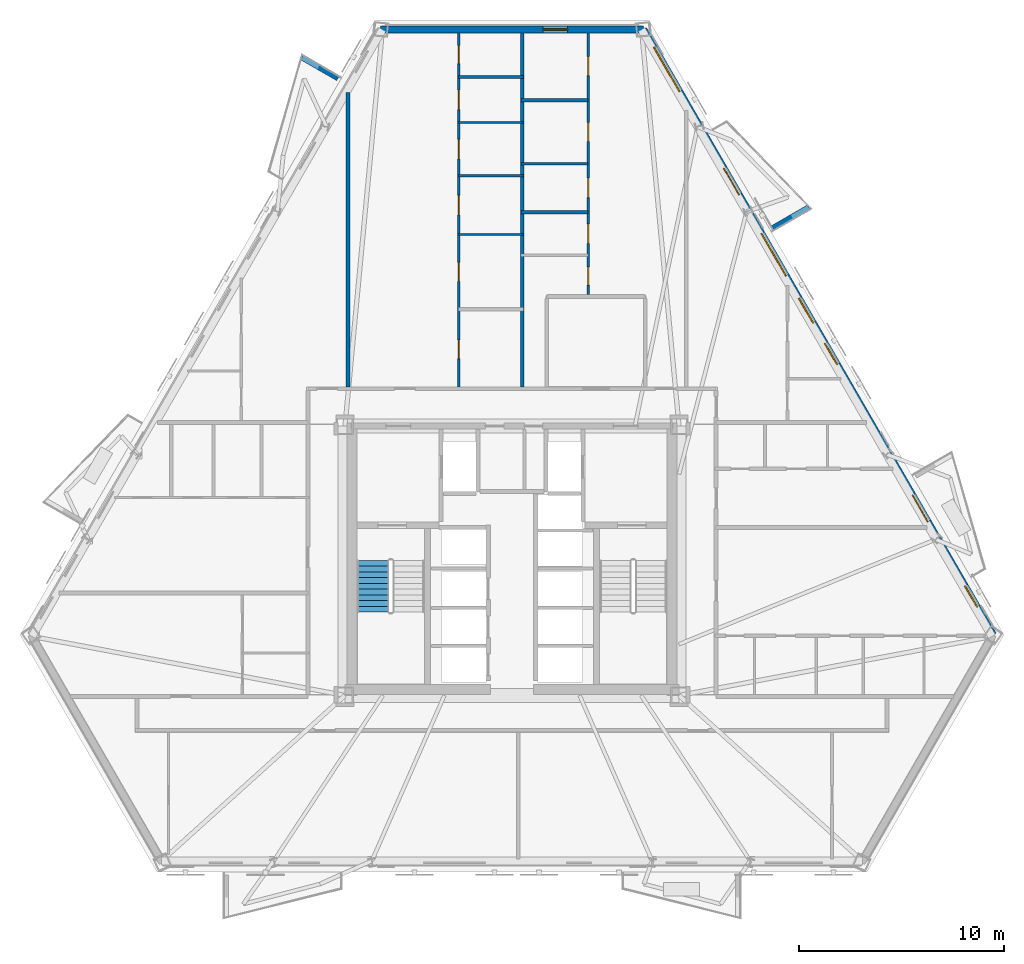
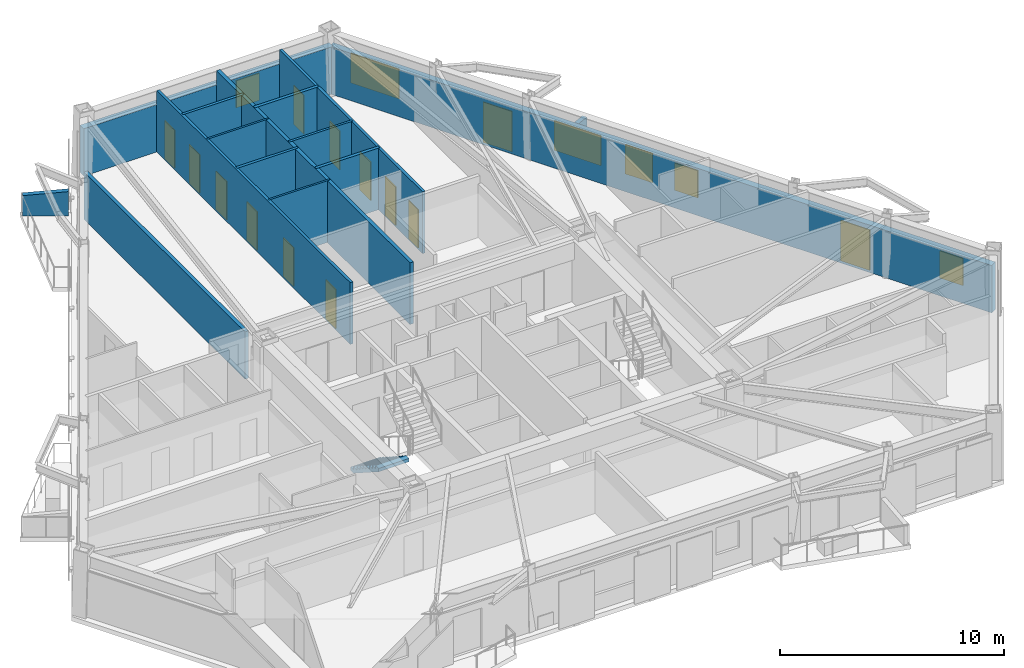
# One storey, part 6 of 11: 15 walls, 13 doors, 6 windows, 1 stair flight, 19 openings, 1 element without a shape of its own.
"""IFC4 building model written with IfcOpenShell, lengths in metres."""

from ifc_helpers import new_model, si_unit, direction, frame, frame_2d, origin, place, context, subcontext, project, spatial, polyline, rectangle, outline, extrude, material, layer, layer_set, type_object, element, fill, aggregate, save


model = new_model("IFC4")

# Units and contexts
model_context = context("Model", 3, precision=1e-05, world=origin(), true_north=direction((0.0, 1.0)))
body_context = subcontext(model_context, "Body", "Model", "MODEL_VIEW")
ifc_project = project(units=[si_unit("LENGTHUNIT", "METRE"), si_unit("AREAUNIT", "SQUARE_METRE"), si_unit("VOLUMEUNIT", "CUBIC_METRE"), si_unit("PLANEANGLEUNIT", "RADIAN"), si_unit("MASSUNIT", "GRAM", prefix="KILO")], contexts=[model_context])

# Site, building, storey
site_placement = place(None, origin())
site = spatial("IfcSite", under=ifc_project, at=site_placement, CompositionType="ELEMENT")
building_placement = place(site_placement, origin())
building = spatial("IfcBuilding", under=site, at=building_placement, Name="Oramaril Tower", CompositionType="ELEMENT")
storey_placement = place(building_placement, frame((0.0, 0.0, 82.5)))
storey = spatial("IfcBuildingStorey", under=building, at=storey_placement, Name="L21", CompositionType="ELEMENT", Elevation=82.5)

# Wall, openings, doors, windows
ifc_material_1 = material(Name="Warm Cream Limestone", Category="masonry")
ifc_layer_1 = layer(ifc_material_1, 0.340087890625)
ifc_layer_set_1 = layer_set([ifc_layer_1], Name="WT-EXT34")
wall_type_1 = type_object("IfcWallType", Name="WT-EXT34", PredefinedType="SOLIDWALL", material=ifc_layer_set_1)
wall_1_placement = place(storey_placement, frame((60.975341796875, 13.9609375, 0.0), z_axis=(0.0, 0.0, 1.0), x_axis=(-0.499998999238, 0.866025981574, 0.0)))
wall_1 = element("IfcWall", 1, at=wall_1_placement, inside=storey, type_object=wall_type_1, Name="L21 Tower Limestone Facade Wall 4M", PredefinedType="SOLIDWALL", context=body_context, shape_type="SweptSolid", body=[
    extrude(rectangle(XDim=34.1083984375, YDim=0.340087890625, at=frame_2d((17.05419921875, 0.0))), origin(), (0.0, 0.0, 1.0), 2.577880859375),
])
opening_1_placement = place(wall_1_placement, frame((6.369384765625, 0.0, 0.0)))
opening_1 = element("IfcOpeningElement", 2, at=opening_1_placement, cuts=wall_1, Name="Opening D-L21-BAL-NE1", PredefinedType="OPENING", context=body_context, shape_type="SweptSolid", body=[
    extrude(rectangle(XDim=1.5, YDim=2.199951171875, at=frame_2d((0.75, 1.10009765625))), frame((0.0, 0.169921875, 0.0), z_axis=(0.0, -1.0, 0.0), x_axis=(1.0, 0.0, 0.0)), (0.0, 0.0, 1.0), 0.340087890625),
])
opening_2_placement = place(wall_1_placement, frame((24.783935546875, 0.0, 0.0)))
opening_2 = element("IfcOpeningElement", 3, at=opening_2_placement, cuts=wall_1, Name="Opening D-L21-BAL-NE2", PredefinedType="OPENING", context=body_context, shape_type="SweptSolid", body=[
    extrude(rectangle(XDim=1.5, YDim=2.199951171875, at=frame_2d((0.75, 1.10009765625))), frame((0.0, 0.169921875, 0.0), z_axis=(0.0, -1.0, 0.0), x_axis=(1.0, 0.0, 0.0)), (0.0, 0.0, 1.0), 0.340087890625),
])
opening_3_placement = place(wall_1_placement, frame((1.560302734375, 0.0, 0.85009765625)))
opening_3 = element("IfcOpeningElement", 4, at=opening_3_placement, cuts=wall_1, Name="Opening WN-09", PredefinedType="OPENING", context=body_context, shape_type="SweptSolid", body=[
    extrude(rectangle(XDim=1.199951171875, YDim=1.47998046875, at=frame_2d((0.60009765625, 0.739990234375))), frame((0.0, 0.169921875, 0.0), z_axis=(0.0, -1.0, 0.0), x_axis=(1.0, 0.0, 0.0)), (0.0, 0.0, 1.0), 0.340087890625),
])
opening_4_placement = place(wall_1_placement, frame((30.602783203125, 0.0, 0.85009765625)))
opening_4 = element("IfcOpeningElement", 5, at=opening_4_placement, cuts=wall_1, Name="Opening WN-11", PredefinedType="OPENING", context=body_context, shape_type="SweptSolid", body=[
    extrude(rectangle(XDim=2.5, YDim=1.617919921875, at=frame_2d((1.25, 0.80908203125))), frame((0.0, 0.169921875, 0.0), z_axis=(0.0, -1.0, 0.0), x_axis=(1.0, 0.0, 0.0)), (0.0, 0.0, 1.0), 0.340087890625),
])
opening_5_placement = place(wall_1_placement, frame((20.21240234375, 0.0, 0.85009765625)))
opening_5 = element("IfcOpeningElement", 6, at=opening_5_placement, cuts=wall_1, Name="Opening WN-03", PredefinedType="OPENING", context=body_context, shape_type="SweptSolid", body=[
    extrude(rectangle(XDim=2.39990234375, YDim=1.617919921875, at=frame_2d((1.199951171875, 0.80908203125))), frame((0.0, 0.169921875, 0.0), z_axis=(0.0, -1.0, 0.0), x_axis=(1.0, 0.0, 0.0)), (0.0, 0.0, 1.0), 0.340087890625),
])
opening_6_placement = place(wall_1_placement, frame((15.221435546875, 0.0, 0.85009765625)))
opening_6 = element("IfcOpeningElement", 7, at=opening_6_placement, cuts=wall_1, Name="Opening WN-09", PredefinedType="OPENING", context=body_context, shape_type="SweptSolid", body=[
    extrude(rectangle(XDim=1.199951171875, YDim=1.47998046875, at=frame_2d((0.60009765625, 0.739990234375))), frame((0.0, 0.169921875, 0.0), z_axis=(0.0, -1.0, 0.0), x_axis=(1.0, 0.0, 0.0)), (0.0, 0.0, 1.0), 0.340087890625),
])
opening_7_placement = place(wall_1_placement, frame((17.560791015625, 0.0, 0.85009765625)))
opening_7 = element("IfcOpeningElement", 8, at=opening_7_placement, cuts=wall_1, Name="Opening WN-08", PredefinedType="OPENING", context=body_context, shape_type="SweptSolid", body=[
    extrude(rectangle(XDim=1.39990234375, YDim=1.60009765625, at=frame_2d((0.699951171875, 0.800048828125))), frame((0.0, 0.169921875, 0.0), z_axis=(0.0, -1.0, 0.0), x_axis=(1.0, 0.0, 0.0)), (0.0, 0.0, 1.0), 0.340087890625),
])
ifc_material_2 = material(Name="Anodised Aluminium 6063-T6", Category="aluminium")
door_type_1 = type_object("IfcDoorType", Name="DT-BAL", OperationType="NOTDEFINED", PredefinedType="DOOR", material=ifc_material_2)
door_1_placement = place(opening_1_placement, origin())
door_1 = element("IfcDoor", 9, at=door_1_placement, inside=storey, type_object=door_type_1, Name="L21 Balcony Glazed Door L21-BAL-NE1", OperationType="SINGLE_SWING_RIGHT", OverallHeight=2.199951171875, OverallWidth=1.5, PredefinedType="DOOR", context=body_context, shape_type="SweptSolid", body=[
    extrude(rectangle(XDim=1.5, YDim=2.199951171875, at=frame_2d((0.75, 1.10009765625))), frame((0.0, 0.02490234375, 0.0), z_axis=(0.0, -1.0, 0.0), x_axis=(1.0, 0.0, 0.0)), (0.0, 0.0, 1.0), 0.050048828125),
])
fill(opening_1, door_1)
door_2_placement = place(opening_2_placement, origin())
door_2 = element("IfcDoor", 10, at=door_2_placement, inside=storey, type_object=door_type_1, Name="L21 Balcony Glazed Door L21-BAL-NE2", OperationType="SINGLE_SWING_LEFT", OverallHeight=2.199951171875, OverallWidth=1.5, PredefinedType="DOOR", context=body_context, shape_type="SweptSolid", body=[
    extrude(rectangle(XDim=1.5, YDim=2.199951171875, at=frame_2d((0.75, 1.10009765625))), frame((0.0, 0.02490234375, 0.0), z_axis=(0.0, -1.0, 0.0), x_axis=(1.0, 0.0, 0.0)), (0.0, 0.0, 1.0), 0.050048828125),
])
fill(opening_2, door_2)
ifc_material_3 = material(Name="Coastal Low-E Insulated Glass", Category="glass")
window_type_1 = type_object("IfcWindowType", Name="WNT-03", PartitioningType="SINGLE_PANEL", PredefinedType="WINDOW", material=ifc_material_3)
window_1_placement = place(opening_5_placement, origin())
window_1 = element("IfcWindow", 11, at=window_1_placement, inside=storey, type_object=window_type_1, Name="L21 Chicago Bay Window WN-03", OverallHeight=1.617919921875, OverallWidth=2.39990234375, PartitioningType="SINGLE_PANEL", PredefinedType="WINDOW", context=body_context, shape_type="SweptSolid", body=[
    extrude(rectangle(XDim=2.39990234375, YDim=1.617919921875, at=frame_2d((1.199951171875, 0.80908203125))), frame((0.0, 0.030029296875, 0.0), z_axis=(0.0, -1.0, 0.0), x_axis=(1.0, 0.0, 0.0)), (0.0, 0.0, 1.0), 0.06005859375),
])
fill(opening_5, window_1)
ifc_material_4 = material(Name="Coastal Low-E Insulated Glass", Category="glass")
window_type_2 = type_object("IfcWindowType", Name="WNT-08", PartitioningType="SINGLE_PANEL", PredefinedType="WINDOW", material=ifc_material_4)
window_2_placement = place(opening_7_placement, origin())
window_2 = element("IfcWindow", 12, at=window_2_placement, inside=storey, type_object=window_type_2, Name="L21 Chicago Bay Window WN-08", OverallHeight=1.60009765625, OverallWidth=1.39990234375, PartitioningType="SINGLE_PANEL", PredefinedType="WINDOW", context=body_context, shape_type="SweptSolid", body=[
    extrude(rectangle(XDim=1.39990234375, YDim=1.60009765625, at=frame_2d((0.699951171875, 0.800048828125))), frame((0.0, 0.030029296875, 0.0), z_axis=(0.0, -1.0, 0.0), x_axis=(1.0, 0.0, 0.0)), (0.0, 0.0, 1.0), 0.06005859375),
])
fill(opening_7, window_2)
ifc_material_5 = material(Name="Coastal Low-E Insulated Glass", Category="glass")
window_type_3 = type_object("IfcWindowType", Name="WNT-09", PartitioningType="SINGLE_PANEL", PredefinedType="WINDOW", material=ifc_material_5)
window_3_placement = place(opening_3_placement, origin())
window_3 = element("IfcWindow", 13, at=window_3_placement, inside=storey, type_object=window_type_3, Name="L21 Chicago Bay Window WN-09", OverallHeight=1.47998046875, OverallWidth=1.199951171875, PartitioningType="SINGLE_PANEL", PredefinedType="WINDOW", context=body_context, shape_type="SweptSolid", body=[
    extrude(rectangle(XDim=1.199951171875, YDim=1.47998046875, at=frame_2d((0.60009765625, 0.739990234375))), frame((0.0, 0.030029296875, 0.0), z_axis=(0.0, -1.0, 0.0), x_axis=(1.0, 0.0, 0.0)), (0.0, 0.0, 1.0), 0.06005859375),
])
fill(opening_3, window_3)
window_4_placement = place(opening_6_placement, origin())
window_4 = element("IfcWindow", 14, at=window_4_placement, inside=storey, type_object=window_type_3, Name="L21 Chicago Bay Window WN-09", OverallHeight=1.47998046875, OverallWidth=1.199951171875, PartitioningType="SINGLE_PANEL", PredefinedType="WINDOW", context=body_context, shape_type="SweptSolid", body=[
    extrude(rectangle(XDim=1.199951171875, YDim=1.47998046875, at=frame_2d((0.60009765625, 0.739990234375))), frame((0.0, 0.030029296875, 0.0), z_axis=(0.0, -1.0, 0.0), x_axis=(1.0, 0.0, 0.0)), (0.0, 0.0, 1.0), 0.06005859375),
])
fill(opening_6, window_4)
ifc_material_6 = material(Name="Coastal Low-E Insulated Glass", Category="glass")
window_type_4 = type_object("IfcWindowType", Name="WNT-11", PartitioningType="SINGLE_PANEL", PredefinedType="WINDOW", material=ifc_material_6)
window_5_placement = place(opening_4_placement, origin())
window_5 = element("IfcWindow", 15, at=window_5_placement, inside=storey, type_object=window_type_4, Name="L21 Chicago Bay Window WN-11", OverallHeight=1.617919921875, OverallWidth=2.5, PartitioningType="SINGLE_PANEL", PredefinedType="WINDOW", context=body_context, shape_type="SweptSolid", body=[
    extrude(rectangle(XDim=2.5, YDim=1.617919921875, at=frame_2d((1.25, 0.80908203125))), frame((0.0, 0.030029296875, 0.0), z_axis=(0.0, -1.0, 0.0), x_axis=(1.0, 0.0, 0.0)), (0.0, 0.0, 1.0), 0.06005859375),
])
fill(opening_4, window_5)

# Wall, opening, window
wall_2_placement = place(storey_placement, frame((43.921142578125, 43.499755859375, 0.0), z_axis=(0.0, 0.0, 1.0), x_axis=(-1.0, 0.0, 0.0)))
wall_2 = element("IfcWall", 16, at=wall_2_placement, inside=storey, type_object=wall_type_1, Name="L21 Tower Limestone Facade Wall 5M", PredefinedType="SOLIDWALL", context=body_context, shape_type="SweptSolid", body=[
    extrude(rectangle(XDim=12.84228515625, YDim=0.340087890625, at=frame_2d((6.421142578125, 0.0))), origin(), (0.0, 0.0, 1.0), 2.577880859375),
])
opening_8_placement = place(wall_2_placement, frame((3.7080078125, 0.0, 0.85009765625)))
opening_8 = element("IfcOpeningElement", 17, at=opening_8_placement, cuts=wall_2, Name="Opening WN-09", PredefinedType="OPENING", context=body_context, shape_type="SweptSolid", body=[
    extrude(rectangle(XDim=1.199951171875, YDim=1.47998046875, at=frame_2d((0.60009765625, 0.739990234375))), frame((0.0, 0.169921875, 0.0), z_axis=(0.0, -1.0, 0.0), x_axis=(1.0, 0.0, 0.0)), (0.0, 0.0, 1.0), 0.340087890625),
])
window_6_placement = place(opening_8_placement, origin())
window_6 = element("IfcWindow", 18, at=window_6_placement, inside=storey, type_object=window_type_3, Name="L21 Apartment Bedroom Window WN-09", OverallHeight=1.47998046875, OverallWidth=1.199951171875, PartitioningType="SINGLE_PANEL", PredefinedType="WINDOW", context=body_context, shape_type="SweptSolid", body=[
    extrude(rectangle(XDim=1.199951171875, YDim=1.47998046875, at=frame_2d((0.60009765625, 0.739990234375))), frame((0.0, 0.030029296875, 0.0), z_axis=(0.0, -1.0, 0.0), x_axis=(1.0, 0.0, 0.0)), (0.0, 0.0, 1.0), 0.06005859375),
])
fill(opening_8, window_6)

# Walls
ifc_material_7 = material(Name="Concrete C40/50", Category="concrete")
ifc_layer_2 = layer(ifc_material_7, 0.22998046875)
ifc_layer_set_2 = layer_set([ifc_layer_2], Name="WT-PRP23")
wall_type_2 = type_object("IfcWallType", Name="WT-PRP23", PredefinedType="PARAPET", material=ifc_layer_set_2)
for number, where, z_axis, x_axis, name in (
    (19, (50.20361328125, 33.81396484375, 0.0), (0.0, 0.0, 1.0), (0.866042246008, 0.499970827278, 0.0), "L21 Trapezoidal Balcony Frame Cheek L21-BAL-NE2-L"),
    (20, (29.00390625, 41.1015625, 0.0), (0.0, 0.0, 1.0), (-0.866042246008, 0.499970827278, 0.0), "L21 Trapezoidal Balcony Frame Cheek L21-BAL-NW1-L"),
):
    element("IfcWall", number, at=place(storey_placement, frame(where, z_axis=z_axis, x_axis=x_axis)), inside=storey, type_object=wall_type_2, Name=name, PredefinedType="PARAPET", context=body_context, shape_type="SweptSolid", body=[
        extrude(outline(polyline([(0.0, 0.0), (2.0419921875, 0.0), (2.0419921875, 1.10009765625), (0.0, 1.320068359375), (0.0, 0.0)])), frame((0.0, 0.114990234375, 0.0), z_axis=(0.0, -1.0, 0.0), x_axis=(1.0, 0.0, 0.0)), (0.0, 0.0, 1.0), 0.22998046875),
    ])
ifc_material_8 = material(Name="Acoustic Gypsum Board Partition")
ifc_layer_3 = layer(ifc_material_8, 0.10009765625)
ifc_layer_set_3 = layer_set([ifc_layer_3], Name="WT-PT10")
wall_type_3 = type_object("IfcWallType", Name="WT-PT10", PredefinedType="PARTITIONING", material=ifc_layer_set_3)
for number, where, z_axis, x_axis, name in (
    (21, (34.89990234375, 33.489990234375, 0.0), (0.0, 0.0, 1.0), (1.0, 0.0, 0.0), "L21 Interior Partition PT-10"),
    (22, (34.89990234375, 38.9599609375, 0.0), (0.0, 0.0, 1.0), (1.0, 0.0, 0.0), "L21 Interior Partition PT-10"),
):
    element("IfcWall", number, at=place(storey_placement, frame(where, z_axis=z_axis, x_axis=x_axis)), inside=storey, type_object=wall_type_3, Name=name, PredefinedType="PARTITIONING", context=body_context, shape_type="SweptSolid", body=[
        extrude(rectangle(XDim=3.150146484375, YDim=0.10009765625, at=frame_2d((1.5751953125, 0.0))), origin(), (0.0, 0.0, 1.0), 3.360107421875),
    ])
ifc_material_9 = material(Name="Acoustic Gypsum Board Partition")
ifc_layer_4 = layer(ifc_material_9, 0.1201171875)
ifc_layer_set_4 = layer_set([ifc_layer_4], Name="WT-PT12")
wall_type_4 = type_object("IfcWallType", Name="WT-PT12", PredefinedType="PARTITIONING", material=ifc_layer_set_4)
wall_3_placement = place(storey_placement, frame((37.949951171875, 36.949951171875, 0.0), z_axis=(0.0, 0.0, 1.0), x_axis=(1.0, 0.0, 0.0)))
element("IfcWall", 23, at=wall_3_placement, inside=storey, type_object=wall_type_4, Name="L21 Interior Partition PT-12", PredefinedType="PARTITIONING", context=body_context, shape_type="SweptSolid", body=[
    extrude(rectangle(XDim=3.27001953125, YDim=0.1201171875, at=frame_2d((1.635009765625, 0.0))), origin(), (0.0, 0.0, 1.0), 3.360107421875),
])
ifc_material_10 = material(Name="Acoustic Gypsum Board Partition")
ifc_layer_5 = layer(ifc_material_10, 0.139892578125)
ifc_layer_set_5 = layer_set([ifc_layer_5], Name="WT-PT14")
wall_type_5 = type_object("IfcWallType", Name="WT-PT14", PredefinedType="PARTITIONING", material=ifc_layer_set_5)
for number, where, z_axis, x_axis, name in (
    (24, (34.89990234375, 36.360107421875, 0.0), (0.0, 0.0, 1.0), (1.0, 0.0, 0.0), "L21 Interior Partition PT-14"),
    (25, (34.89990234375, 41.169921875, 0.0), (0.0, 0.0, 1.0), (1.0, 0.0, 0.0), "L21 Interior Partition PT-14"),
):
    element("IfcWall", number, at=place(storey_placement, frame(where, z_axis=z_axis, x_axis=x_axis)), inside=storey, type_object=wall_type_5, Name=name, PredefinedType="PARTITIONING", context=body_context, shape_type="SweptSolid", body=[
        extrude(rectangle(XDim=3.150146484375, YDim=0.139892578125, at=frame_2d((1.5751953125, 0.0))), origin(), (0.0, 0.0, 1.0), 3.360107421875),
    ])

# Wall, openings, doors
wall_4_placement = place(storey_placement, frame((34.89990234375, 26.06396484375, 0.0), z_axis=(0.0, 0.0, 1.0), x_axis=(0.0, 1.0, 0.0)))
wall_4 = element("IfcWall", 26, at=wall_4_placement, inside=storey, type_object=wall_type_5, Name="L21 Interior Partition PT-14", PredefinedType="PARTITIONING", context=body_context, shape_type="SweptSolid", body=[
    extrude(rectangle(XDim=17.26171875, YDim=0.139892578125, at=frame_2d((8.630859375, 0.0))), origin(), (0.0, 0.0, 1.0), 3.360107421875),
])
opening_9_placement = place(wall_4_placement, frame((1.36962890625, 0.0, 0.0)))
opening_9 = element("IfcOpeningElement", 27, at=opening_9_placement, cuts=wall_4, Name="Opening D-L21-26", PredefinedType="OPENING", context=body_context, shape_type="SweptSolid", body=[
    extrude(rectangle(XDim=0.919921875, YDim=2.1201171875, at=frame_2d((0.4599609375, 1.06005859375))), frame((0.0, 0.06982421875, 0.0), z_axis=(0.0, -1.0, 0.0), x_axis=(1.0, 0.0, 0.0)), (0.0, 0.0, 1.0), 0.139892578125),
])
opening_10_placement = place(wall_4_placement, frame((5.14697265625, 0.0, 0.0)))
opening_10 = element("IfcOpeningElement", 28, at=opening_10_placement, cuts=wall_4, Name="Opening D-L21-27", PredefinedType="OPENING", context=body_context, shape_type="SweptSolid", body=[
    extrude(rectangle(XDim=0.919921875, YDim=2.1201171875, at=frame_2d((0.4599609375, 1.06005859375))), frame((0.0, 0.06982421875, 0.0), z_axis=(0.0, -1.0, 0.0), x_axis=(1.0, 0.0, 0.0)), (0.0, 0.0, 1.0), 0.139892578125),
])
opening_11_placement = place(wall_4_placement, frame((8.387939453125, 0.0, 0.0)))
opening_11 = element("IfcOpeningElement", 29, at=opening_11_placement, cuts=wall_4, Name="Opening D-L21-28", PredefinedType="OPENING", context=body_context, shape_type="SweptSolid", body=[
    extrude(rectangle(XDim=0.949951171875, YDim=2.10009765625, at=frame_2d((0.47509765625, 1.050048828125))), frame((0.0, 0.06982421875, 0.0), z_axis=(0.0, -1.0, 0.0), x_axis=(1.0, 0.0, 0.0)), (0.0, 0.0, 1.0), 0.139892578125),
])
opening_12_placement = place(wall_4_placement, frame((11.123046875, 0.0, 0.0)))
opening_12 = element("IfcOpeningElement", 30, at=opening_12_placement, cuts=wall_4, Name="Opening D-L21-29", PredefinedType="OPENING", context=body_context, shape_type="SweptSolid", body=[
    extrude(rectangle(XDim=0.949951171875, YDim=2.10009765625, at=frame_2d((0.47509765625, 1.050048828125))), frame((0.0, 0.06982421875, 0.0), z_axis=(0.0, -1.0, 0.0), x_axis=(1.0, 0.0, 0.0)), (0.0, 0.0, 1.0), 0.139892578125),
])
opening_13_placement = place(wall_4_placement, frame((13.526123046875, 0.0, 0.0)))
opening_13 = element("IfcOpeningElement", 31, at=opening_13_placement, cuts=wall_4, Name="Opening D-L21-30", PredefinedType="OPENING", context=body_context, shape_type="SweptSolid", body=[
    extrude(rectangle(XDim=0.949951171875, YDim=2.10009765625, at=frame_2d((0.47509765625, 1.050048828125))), frame((0.0, 0.06982421875, 0.0), z_axis=(0.0, -1.0, 0.0), x_axis=(1.0, 0.0, 0.0)), (0.0, 0.0, 1.0), 0.139892578125),
])
opening_14_placement = place(wall_4_placement, frame((15.768798828125, 0.0, 0.0)))
opening_14 = element("IfcOpeningElement", 32, at=opening_14_placement, cuts=wall_4, Name="Opening D-L21-31", PredefinedType="OPENING", context=body_context, shape_type="SweptSolid", body=[
    extrude(rectangle(XDim=0.8798828125, YDim=2.080078125, at=frame_2d((0.43994140625, 1.0400390625))), frame((0.0, 0.06982421875, 0.0), z_axis=(0.0, -1.0, 0.0), x_axis=(1.0, 0.0, 0.0)), (0.0, 0.0, 1.0), 0.139892578125),
])
ifc_material_11 = material(Name="FSC Brazilian Freijo Hardwood", Category="wood")
door_type_2 = type_object("IfcDoorType", Name="DT-BATH", OperationType="NOTDEFINED", PredefinedType="DOOR", material=ifc_material_11)
door_3_placement = place(opening_14_placement, origin())
door_3 = element("IfcDoor", 33, at=door_3_placement, inside=storey, type_object=door_type_2, Name="L21 Flat L21-U8 Bathroom Door D-L21-31", OperationType="SINGLE_SWING_LEFT", OverallHeight=2.080078125, OverallWidth=0.8798828125, PredefinedType="DOOR", context=body_context, shape_type="SweptSolid", body=[
    extrude(rectangle(XDim=0.8798828125, YDim=2.080078125, at=frame_2d((0.43994140625, 1.0400390625))), frame((0.0, 0.02490234375, 0.0), z_axis=(0.0, -1.0, 0.0), x_axis=(1.0, 0.0, 0.0)), (0.0, 0.0, 1.0), 0.050048828125),
])
fill(opening_14, door_3)
ifc_material_12 = material(Name="FSC Brazilian Freijo Hardwood", Category="wood")
door_type_3 = type_object("IfcDoorType", Name="DT-BED", OperationType="NOTDEFINED", PredefinedType="DOOR", material=ifc_material_12)
door_4_placement = place(opening_9_placement, origin())
door_4 = element("IfcDoor", 34, at=door_4_placement, inside=storey, type_object=door_type_3, Name="L21 Flat L21-U8 Master Bedroom Door D-L21-26", OperationType="SINGLE_SWING_RIGHT", OverallHeight=2.1201171875, OverallWidth=0.919921875, PredefinedType="DOOR", context=body_context, shape_type="SweptSolid", body=[
    extrude(rectangle(XDim=0.919921875, YDim=2.1201171875, at=frame_2d((0.4599609375, 1.06005859375))), frame((0.0, 0.02490234375, 0.0), z_axis=(0.0, -1.0, 0.0), x_axis=(1.0, 0.0, 0.0)), (0.0, 0.0, 1.0), 0.050048828125),
])
fill(opening_9, door_4)
door_5_placement = place(opening_10_placement, origin())
door_5 = element("IfcDoor", 35, at=door_5_placement, inside=storey, type_object=door_type_3, Name="L21 Flat L21-U8 Bedroom 2 Door D-L21-27", OperationType="SINGLE_SWING_LEFT", OverallHeight=2.1201171875, OverallWidth=0.919921875, PredefinedType="DOOR", context=body_context, shape_type="SweptSolid", body=[
    extrude(rectangle(XDim=0.919921875, YDim=2.1201171875, at=frame_2d((0.4599609375, 1.06005859375))), frame((0.0, 0.02490234375, 0.0), z_axis=(0.0, -1.0, 0.0), x_axis=(1.0, 0.0, 0.0)), (0.0, 0.0, 1.0), 0.050048828125),
])
fill(opening_10, door_5)
ifc_material_13 = material(Name="FSC Brazilian Freijo Hardwood", Category="wood")
door_type_4 = type_object("IfcDoorType", Name="DT-STDY", OperationType="NOTDEFINED", PredefinedType="DOOR", material=ifc_material_13)
door_6_placement = place(opening_11_placement, origin())
door_6 = element("IfcDoor", 36, at=door_6_placement, inside=storey, type_object=door_type_4, Name="L21 Flat L21-U8 Dining Room Door D-L21-28", OperationType="SINGLE_SWING_RIGHT", OverallHeight=2.10009765625, OverallWidth=0.949951171875, PredefinedType="DOOR", context=body_context, shape_type="SweptSolid", body=[
    extrude(rectangle(XDim=0.949951171875, YDim=2.10009765625, at=frame_2d((0.47509765625, 1.050048828125))), frame((0.0, 0.02490234375, 0.0), z_axis=(0.0, -1.0, 0.0), x_axis=(1.0, 0.0, 0.0)), (0.0, 0.0, 1.0), 0.050048828125),
])
fill(opening_11, door_6)
door_7_placement = place(opening_12_placement, origin())
door_7 = element("IfcDoor", 37, at=door_7_placement, inside=storey, type_object=door_type_4, Name="L21 Flat L21-U8 Private Dining Room Door D-L21-29", OperationType="SINGLE_SWING_LEFT", OverallHeight=2.10009765625, OverallWidth=0.949951171875, PredefinedType="DOOR", context=body_context, shape_type="SweptSolid", body=[
    extrude(rectangle(XDim=0.949951171875, YDim=2.10009765625, at=frame_2d((0.47509765625, 1.050048828125))), frame((0.0, 0.02490234375, 0.0), z_axis=(0.0, -1.0, 0.0), x_axis=(1.0, 0.0, 0.0)), (0.0, 0.0, 1.0), 0.050048828125),
])
fill(opening_12, door_7)
door_8_placement = place(opening_13_placement, origin())
door_8 = element("IfcDoor", 38, at=door_8_placement, inside=storey, type_object=door_type_4, Name="L21 Flat L21-U8 Kitchen Door D-L21-30", OperationType="SINGLE_SWING_RIGHT", OverallHeight=2.10009765625, OverallWidth=0.949951171875, PredefinedType="DOOR", context=body_context, shape_type="SweptSolid", body=[
    extrude(rectangle(XDim=0.949951171875, YDim=2.10009765625, at=frame_2d((0.47509765625, 1.050048828125))), frame((0.0, 0.02490234375, 0.0), z_axis=(0.0, -1.0, 0.0), x_axis=(1.0, 0.0, 0.0)), (0.0, 0.0, 1.0), 0.050048828125),
])
fill(opening_13, door_8)

wall_5_placement = place(storey_placement, frame((41.219970703125, 30.56396484375, 0.0), z_axis=(0.0, 0.0, 1.0), x_axis=(0.0, 1.0, 0.0)))
wall_5 = element("IfcWall", 39, at=wall_5_placement, inside=storey, type_object=wall_type_5, Name="L21 Interior Partition PT-14", PredefinedType="PARTITIONING", context=body_context, shape_type="SweptSolid", body=[
    extrude(rectangle(XDim=12.76171875, YDim=0.139892578125, at=frame_2d((6.380859375, 0.0))), origin(), (0.0, 0.0, 1.0), 3.360107421875),
])
opening_15_placement = place(wall_5_placement, frame((0.460205078125, 0.0, 0.0)))
opening_15 = element("IfcOpeningElement", 40, at=opening_15_placement, cuts=wall_5, Name="Opening D-L21-32", PredefinedType="OPENING", context=body_context, shape_type="SweptSolid", body=[
    extrude(rectangle(XDim=0.8798828125, YDim=2.080078125, at=frame_2d((0.43994140625, 1.0400390625))), frame((0.0, 0.06982421875, 0.0), z_axis=(0.0, -1.0, 0.0), x_axis=(1.0, 0.0, 0.0)), (0.0, 0.0, 1.0), 0.139892578125),
])
opening_16_placement = place(wall_5_placement, frame((2.494384765625, 0.0, 0.0)))
opening_16 = element("IfcOpeningElement", 41, at=opening_16_placement, cuts=wall_5, Name="Opening D-L21-33", PredefinedType="OPENING", context=body_context, shape_type="SweptSolid", body=[
    extrude(rectangle(XDim=0.949951171875, YDim=2.10009765625, at=frame_2d((0.47509765625, 1.050048828125))), frame((0.0, 0.06982421875, 0.0), z_axis=(0.0, -1.0, 0.0), x_axis=(1.0, 0.0, 0.0)), (0.0, 0.0, 1.0), 0.139892578125),
])
opening_17_placement = place(wall_5_placement, frame((4.727294921875, 0.0, 0.0)))
opening_17 = element("IfcOpeningElement", 42, at=opening_17_placement, cuts=wall_5, Name="Opening D-L21-34", PredefinedType="OPENING", context=body_context, shape_type="SweptSolid", body=[
    extrude(rectangle(XDim=0.949951171875, YDim=2.10009765625, at=frame_2d((0.47509765625, 1.050048828125))), frame((0.0, 0.06982421875, 0.0), z_axis=(0.0, -1.0, 0.0), x_axis=(1.0, 0.0, 0.0)), (0.0, 0.0, 1.0), 0.139892578125),
])
opening_18_placement = place(wall_5_placement, frame((7.470703125, 0.0, 0.0)))
opening_18 = element("IfcOpeningElement", 43, at=opening_18_placement, cuts=wall_5, Name="Opening D-L21-35", PredefinedType="OPENING", context=body_context, shape_type="SweptSolid", body=[
    extrude(rectangle(XDim=0.919921875, YDim=2.1201171875, at=frame_2d((0.4599609375, 1.06005859375))), frame((0.0, 0.06982421875, 0.0), z_axis=(0.0, -1.0, 0.0), x_axis=(1.0, 0.0, 0.0)), (0.0, 0.0, 1.0), 0.139892578125),
])
opening_19_placement = place(wall_5_placement, frame((10.683349609375, 0.0, 0.0)))
opening_19 = element("IfcOpeningElement", 44, at=opening_19_placement, cuts=wall_5, Name="Opening D-L21-36", PredefinedType="OPENING", context=body_context, shape_type="SweptSolid", body=[
    extrude(rectangle(XDim=0.919921875, YDim=2.1201171875, at=frame_2d((0.4599609375, 1.06005859375))), frame((0.0, 0.06982421875, 0.0), z_axis=(0.0, -1.0, 0.0), x_axis=(1.0, 0.0, 0.0)), (0.0, 0.0, 1.0), 0.139892578125),
])
door_9_placement = place(opening_15_placement, origin())
door_9 = element("IfcDoor", 45, at=door_9_placement, inside=storey, type_object=door_type_2, Name="L21 Flat L21-U9 Bathroom Door D-L21-32", OperationType="SINGLE_SWING_RIGHT", OverallHeight=2.080078125, OverallWidth=0.8798828125, PredefinedType="DOOR", context=body_context, shape_type="SweptSolid", body=[
    extrude(rectangle(XDim=0.8798828125, YDim=2.080078125, at=frame_2d((0.43994140625, 1.0400390625))), frame((0.0, 0.02490234375, 0.0), z_axis=(0.0, -1.0, 0.0), x_axis=(1.0, 0.0, 0.0)), (0.0, 0.0, 1.0), 0.050048828125),
])
fill(opening_15, door_9)
door_10_placement = place(opening_18_placement, origin())
door_10 = element("IfcDoor", 46, at=door_10_placement, inside=storey, type_object=door_type_3, Name="L21 Flat L21-U9 Bedroom 2 Door D-L21-35", OperationType="SINGLE_SWING_LEFT", OverallHeight=2.1201171875, OverallWidth=0.919921875, PredefinedType="DOOR", context=body_context, shape_type="SweptSolid", body=[
    extrude(rectangle(XDim=0.919921875, YDim=2.1201171875, at=frame_2d((0.4599609375, 1.06005859375))), frame((0.0, 0.02490234375, 0.0), z_axis=(0.0, -1.0, 0.0), x_axis=(1.0, 0.0, 0.0)), (0.0, 0.0, 1.0), 0.050048828125),
])
fill(opening_18, door_10)
door_11_placement = place(opening_19_placement, origin())
door_11 = element("IfcDoor", 47, at=door_11_placement, inside=storey, type_object=door_type_3, Name="L21 Flat L21-U9 Master Bedroom Door D-L21-36", OperationType="SINGLE_SWING_RIGHT", OverallHeight=2.1201171875, OverallWidth=0.919921875, PredefinedType="DOOR", context=body_context, shape_type="SweptSolid", body=[
    extrude(rectangle(XDim=0.919921875, YDim=2.1201171875, at=frame_2d((0.4599609375, 1.06005859375))), frame((0.0, 0.02490234375, 0.0), z_axis=(0.0, -1.0, 0.0), x_axis=(1.0, 0.0, 0.0)), (0.0, 0.0, 1.0), 0.050048828125),
])
fill(opening_19, door_11)
door_12_placement = place(opening_16_placement, origin())
door_12 = element("IfcDoor", 48, at=door_12_placement, inside=storey, type_object=door_type_4, Name="L21 Flat L21-U9 Kitchen Door D-L21-33", OperationType="SINGLE_SWING_LEFT", OverallHeight=2.10009765625, OverallWidth=0.949951171875, PredefinedType="DOOR", context=body_context, shape_type="SweptSolid", body=[
    extrude(rectangle(XDim=0.949951171875, YDim=2.10009765625, at=frame_2d((0.47509765625, 1.050048828125))), frame((0.0, 0.02490234375, 0.0), z_axis=(0.0, -1.0, 0.0), x_axis=(1.0, 0.0, 0.0)), (0.0, 0.0, 1.0), 0.050048828125),
])
fill(opening_16, door_12)
door_13_placement = place(opening_17_placement, origin())
door_13 = element("IfcDoor", 49, at=door_13_placement, inside=storey, type_object=door_type_4, Name="L21 Flat L21-U9 Reading Study Door D-L21-34", OperationType="SINGLE_SWING_RIGHT", OverallHeight=2.10009765625, OverallWidth=0.949951171875, PredefinedType="DOOR", context=body_context, shape_type="SweptSolid", body=[
    extrude(rectangle(XDim=0.949951171875, YDim=2.10009765625, at=frame_2d((0.47509765625, 1.050048828125))), frame((0.0, 0.02490234375, 0.0), z_axis=(0.0, -1.0, 0.0), x_axis=(1.0, 0.0, 0.0)), (0.0, 0.0, 1.0), 0.050048828125),
])
fill(opening_17, door_13)

# Walls
ifc_material_14 = material(Name="Acoustic Gypsum Board Partition")
ifc_layer_6 = layer(ifc_material_14, 0.159912109375)
ifc_layer_set_6 = layer_set([ifc_layer_6], Name="WT-PT16")
wall_type_6 = type_object("IfcWallType", Name="WT-PT16", PredefinedType="PARTITIONING", material=ifc_layer_set_6)
for number, where, z_axis, x_axis, name in (
    (50, (37.949951171875, 34.580078125, 0.0), (0.0, 0.0, 1.0), (1.0, 0.0, 0.0), "L21 Interior Partition PT-16"),
    (51, (37.949951171875, 40.0400390625, 0.0), (0.0, 0.0, 1.0), (1.0, 0.0, 0.0), "L21 Interior Partition PT-16"),
):
    element("IfcWall", number, at=place(storey_placement, frame(where, z_axis=z_axis, x_axis=x_axis)), inside=storey, type_object=wall_type_6, Name=name, PredefinedType="PARTITIONING", context=body_context, shape_type="SweptSolid", body=[
        extrude(rectangle(XDim=3.27001953125, YDim=0.159912109375, at=frame_2d((1.635009765625, 0.0))), origin(), (0.0, 0.0, 1.0), 3.360107421875),
    ])
ifc_material_15 = material(Name="Autoclaved Cellular Concrete Block", Category="concrete")
ifc_layer_7 = layer(ifc_material_15, 0.179931640625)
ifc_layer_set_7 = layer_set([ifc_layer_7], Name="WT-PT18")
wall_type_7 = type_object("IfcWallType", Name="WT-PT18", PredefinedType="PARTITIONING", material=ifc_layer_set_7)
wall_6_placement = place(storey_placement, frame((29.5, 26.06396484375, 0.0), z_axis=(0.0, 0.0, 1.0), x_axis=(0.0, 1.0, 0.0)))
element("IfcWall", 52, at=wall_6_placement, inside=storey, type_object=wall_type_7, Name="L21 Interior Partition PT-18", PredefinedType="PARTITIONING", context=body_context, shape_type="SweptSolid", body=[
    extrude(rectangle(XDim=14.35302734375, YDim=0.179931640625, at=frame_2d((7.176513671875, 0.0))), origin(), (0.0, 0.0, 1.0), 2.577880859375),
])
wall_7_placement = place(storey_placement, frame((38.0, 26.06396484375, 0.0), z_axis=(0.0, 0.0, 1.0), x_axis=(0.0, 1.0, 0.0)))
element("IfcWall", 53, at=wall_7_placement, inside=storey, type_object=wall_type_7, Name="L21 Interior Partition PT-18", PredefinedType="PARTITIONING", context=body_context, shape_type="SweptSolid", body=[
    extrude(rectangle(XDim=17.26171875, YDim=0.179931640625, at=frame_2d((8.630859375, 0.0))), origin(), (0.0, 0.0, 1.0), 3.360107421875),
])

# Stair, stair flight
ifc_material_16 = material(Name="Concrete C50/60", Category="concrete")
stair_type = type_object("IfcStairType", Name="STT-DG-3600", PredefinedType="HALF_TURN_STAIR", material=ifc_material_16)
stair_placement = place(storey_placement, origin())
stair = element("IfcStair", 54, at=stair_placement, inside=storey, type_object=stair_type, Name="L21 Protected PFP Exit Stair ST-1", PredefinedType="HALF_TURN_STAIR")
ifc_material_17 = material(Name="Concrete C50/60", Category="concrete")
stair_flight_type = type_object("IfcStairFlightType", Name="SFT-DG-3600", PredefinedType="STRAIGHT", material=ifc_material_17)
stair_flight_placement = place(storey_placement, frame((30.72998046875, 17.590087890625, 0.0), z_axis=(0.0, 0.0, 1.0), x_axis=(0.0, -1.0, 0.0)))
stair_flight = element("IfcStairFlight", 55, at=stair_flight_placement, type_object=stair_flight_type, Name="ST-1 flight 1", NumberOfRisers=10, NumberOfTreads=9, PredefinedType="STRAIGHT", RiserHeight=0.18, TreadLength=0.28, context=body_context, shape_type="SweptSolid", body=[
    extrude(outline(polyline([(0.0, 0.0), (0.0, 0.179931640625), (0.280029296875, 0.179931640625), (0.280029296875, 0.360107421875), (0.56005859375, 0.360107421875), (0.56005859375, 0.5400390625), (0.840087890625, 0.5400390625), (0.840087890625, 0.719970703125), (1.1201171875, 0.719970703125), (1.1201171875, 0.89990234375), (1.39990234375, 0.89990234375), (1.39990234375, 1.080078125), (1.679931640625, 1.080078125), (1.679931640625, 1.260009765625), (1.9599609375, 1.260009765625), (1.9599609375, 1.43994140625), (2.239990234375, 1.43994140625), (2.239990234375, 1.6201171875), (2.52001953125, 1.6201171875), (2.52001953125, 1.800048828125), (2.52001953125, 1.44189453125), (0.277099609375, 0.0), (0.0, 0.0)])), frame((0.0, 0.780029296875, 0.0), z_axis=(0.0, -1.0, 0.0), x_axis=(1.0, 0.0, 0.0)), (0.0, 0.0, 1.0), 1.56005859375),
])
aggregate(stair, [stair_flight])

save(model, "model.ifc")
